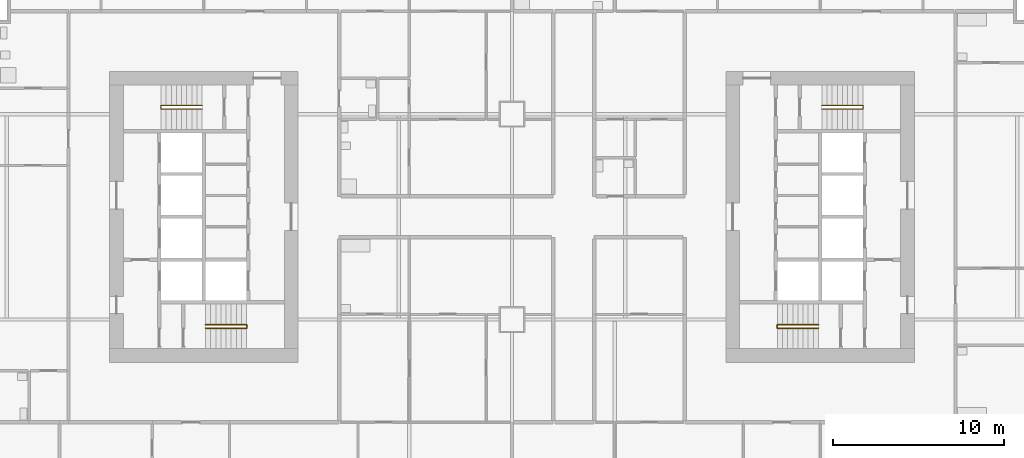
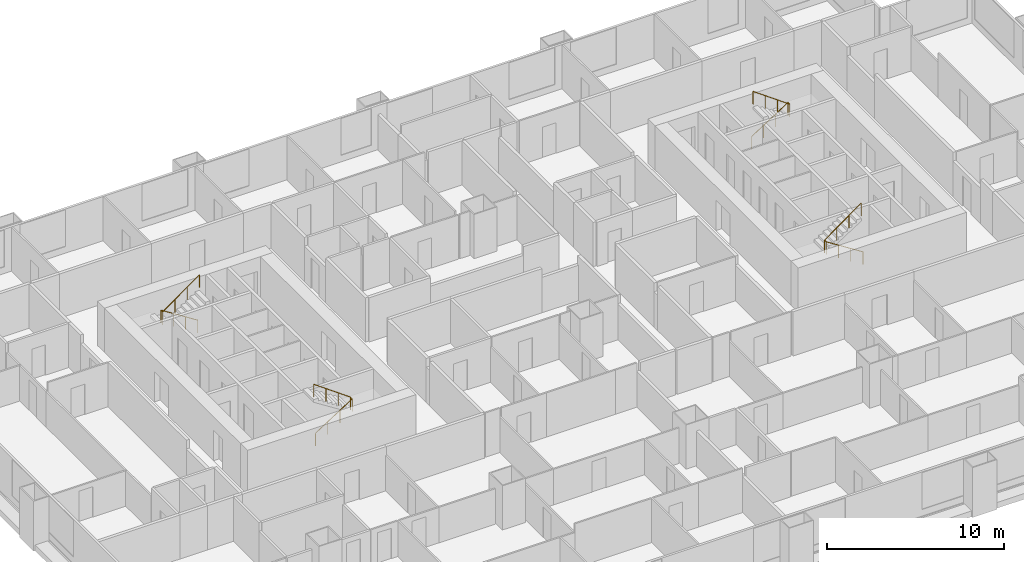
# One storey, part 12 of 13: 4 railings.
"""IFC4 building model written with IfcOpenShell, lengths in metres."""

from ifc_helpers import new_model, si_unit, direction, frame, origin, origin_2d, place, context, subcontext, project, spatial, circle, extrude, material, type_object, element, save


model = new_model("IFC4")

# Units and contexts
model_context = context("Model", 3, precision=1e-05, world=origin(), true_north=direction((0.0, 1.0)))
body_context = subcontext(model_context, "Body", "Model", "MODEL_VIEW")
ifc_project = project(units=[si_unit("LENGTHUNIT", "METRE"), si_unit("AREAUNIT", "SQUARE_METRE"), si_unit("VOLUMEUNIT", "CUBIC_METRE"), si_unit("PLANEANGLEUNIT", "RADIAN"), si_unit("MASSUNIT", "GRAM", prefix="KILO")], contexts=[model_context])

# Site, building, storey
site_placement = place(None, origin())
site = spatial("IfcSite", under=ifc_project, at=site_placement, CompositionType="ELEMENT")
building_placement = place(site_placement, origin())
building = spatial("IfcBuilding", under=site, at=building_placement, Name="Kitamizu Gate Tower and Museum", CompositionType="ELEMENT")
storey_placement = place(building_placement, frame((0.0, 0.0, 81.75)))
storey = spatial("IfcBuildingStorey", under=building, at=storey_placement, Name="L20", CompositionType="ELEMENT", Elevation=81.75)

# Railings
ifc_material = material(Name="Stainless steel SUS304", Category="steel")
railing_type = type_object("IfcRailingType", Name="Stair handrail 900", PredefinedType="HANDRAIL", material=ifc_material)
railing_1_placement = place(storey_placement, frame((18.10009765625, 23.5, 0.191650390625)))
element("IfcRailing", 1, at=railing_1_placement, inside=storey, type_object=railing_type, Name="Stair handrail ST1", PredefinedType="HANDRAIL", context=body_context, shape_type="SweptSolid", body=[
    extrude(circle(Radius=0.02392578125, at=origin_2d()), frame((0.0, 0.0, 0.8759765625), z_axis=(0.842668169335, 0.0, 0.538433242278), x_axis=(0.0, 1.0, 0.0)), (0.0, 0.0, 1.0), 2.847900390625),
    extrude(circle(Radius=0.02392578125, at=origin_2d()), frame((2.39990234375, 0.0, 2.4091796875), z_axis=(0.0, 1.0, 0.0), x_axis=(-1.0, 0.0, 0.0)), (0.0, 0.0, 1.0), 0.199951171875),
    extrude(circle(Radius=0.02392578125, at=origin_2d()), frame((2.39990234375, 0.199951171875, 2.4091796875), z_axis=(-0.81202760531, 0.0, 0.583619026604), x_axis=(0.0, -1.0, 0.0)), (0.0, 0.0, 1.0), 2.955322265625),
    extrude(circle(Radius=0.02099609375, at=origin_2d()), origin(), (0.0, 0.0, 1.0), 0.851806640625),
    extrude(circle(Radius=0.02099609375, at=origin_2d()), frame((0.800048828125, 0.0, 0.51123046875)), (0.0, 0.0, 1.0), 0.851806640625),
    extrude(circle(Radius=0.02099609375, at=origin_2d()), frame((1.599853515625, 0.0, 1.022216796875)), (0.0, 0.0, 1.0), 0.851806640625),
    extrude(circle(Radius=0.02099609375, at=origin_2d()), frame((2.39990234375, 0.0, 1.533447265625)), (0.0, 0.0, 1.0), 0.851806640625),
    extrude(circle(Radius=0.02099609375, at=origin_2d()), frame((2.39990234375, 0.199951171875, 1.533447265625)), (0.0, 0.0, 1.0), 0.851806640625),
    extrude(circle(Radius=0.02099609375, at=origin_2d()), frame((1.599853515625, 0.199951171875, 2.1083984375)), (0.0, 0.0, 1.0), 0.851806640625),
    extrude(circle(Radius=0.02099609375, at=origin_2d()), frame((0.800048828125, 0.199951171875, 2.683349609375)), (0.0, 0.0, 1.0), 0.851806640625),
    extrude(circle(Radius=0.02099609375, at=origin_2d()), frame((0.0, 0.199951171875, 3.25830078125)), (0.0, 0.0, 1.0), 0.851806640625),
])
railing_2_placement = place(storey_placement, frame((17.89990234375, 36.5, 0.191650390625)))
element("IfcRailing", 2, at=railing_2_placement, inside=storey, type_object=railing_type, Name="Stair handrail ST2", PredefinedType="HANDRAIL", context=body_context, shape_type="SweptSolid", body=[
    extrude(circle(Radius=0.02392578125, at=origin_2d()), frame((0.0, 0.0, 0.8759765625), z_axis=(-0.842668169335, 0.0, 0.538433242278), x_axis=(0.0, -1.0, 0.0)), (0.0, 0.0, 1.0), 2.847900390625),
    extrude(circle(Radius=0.02392578125, at=origin_2d()), frame((-2.39990234375, 0.0, 2.4091796875), z_axis=(0.0, -1.0, 0.0), x_axis=(1.0, 0.0, 0.0)), (0.0, 0.0, 1.0), 0.199951171875),
    extrude(circle(Radius=0.02392578125, at=origin_2d()), frame((-2.39990234375, -0.199951171875, 2.4091796875), z_axis=(0.81202760531, 0.0, 0.583619026604), x_axis=(0.0, 1.0, 0.0)), (0.0, 0.0, 1.0), 2.955322265625),
    extrude(circle(Radius=0.02099609375, at=origin_2d()), origin(), (0.0, 0.0, 1.0), 0.851806640625),
    extrude(circle(Radius=0.02099609375, at=origin_2d()), frame((-0.800048828125, 0.0, 0.51123046875)), (0.0, 0.0, 1.0), 0.851806640625),
    extrude(circle(Radius=0.02099609375, at=origin_2d()), frame((-1.599853515625, 0.0, 1.022216796875)), (0.0, 0.0, 1.0), 0.851806640625),
    extrude(circle(Radius=0.02099609375, at=origin_2d()), frame((-2.39990234375, 0.0, 1.533447265625)), (0.0, 0.0, 1.0), 0.851806640625),
    extrude(circle(Radius=0.02099609375, at=origin_2d()), frame((-2.39990234375, -0.199951171875, 1.533447265625)), (0.0, 0.0, 1.0), 0.851806640625),
    extrude(circle(Radius=0.02099609375, at=origin_2d()), frame((-1.599853515625, -0.199951171875, 2.1083984375)), (0.0, 0.0, 1.0), 0.851806640625),
    extrude(circle(Radius=0.02099609375, at=origin_2d()), frame((-0.800048828125, -0.199951171875, 2.683349609375)), (0.0, 0.0, 1.0), 0.851806640625),
    extrude(circle(Radius=0.02099609375, at=origin_2d()), frame((0.0, -0.199951171875, 3.25830078125)), (0.0, 0.0, 1.0), 0.851806640625),
])
railing_3_placement = place(storey_placement, frame((53.89990234375, 23.5, 0.191650390625)))
element("IfcRailing", 3, at=railing_3_placement, inside=storey, type_object=railing_type, Name="Stair handrail ST3", PredefinedType="HANDRAIL", context=body_context, shape_type="SweptSolid", body=[
    extrude(circle(Radius=0.02392578125, at=origin_2d()), frame((0.0, 0.0, 0.8759765625), z_axis=(-0.842668169335, 0.0, 0.538433242278), x_axis=(0.0, -1.0, 0.0)), (0.0, 0.0, 1.0), 2.847900390625),
    extrude(circle(Radius=0.02392578125, at=origin_2d()), frame((-2.39990234375, 0.0, 2.4091796875), z_axis=(0.0, 1.0, 0.0), x_axis=(-1.0, 0.0, 0.0)), (0.0, 0.0, 1.0), 0.199951171875),
    extrude(circle(Radius=0.02392578125, at=origin_2d()), frame((-2.39990234375, 0.199951171875, 2.4091796875), z_axis=(0.81202760531, 0.0, 0.583619026604), x_axis=(0.0, 1.0, 0.0)), (0.0, 0.0, 1.0), 2.955322265625),
    extrude(circle(Radius=0.02099609375, at=origin_2d()), origin(), (0.0, 0.0, 1.0), 0.851806640625),
    extrude(circle(Radius=0.02099609375, at=origin_2d()), frame((-0.800048828125, 0.0, 0.51123046875)), (0.0, 0.0, 1.0), 0.851806640625),
    extrude(circle(Radius=0.02099609375, at=origin_2d()), frame((-1.599853515625, 0.0, 1.022216796875)), (0.0, 0.0, 1.0), 0.851806640625),
    extrude(circle(Radius=0.02099609375, at=origin_2d()), frame((-2.39990234375, 0.0, 1.533447265625)), (0.0, 0.0, 1.0), 0.851806640625),
    extrude(circle(Radius=0.02099609375, at=origin_2d()), frame((-2.39990234375, 0.199951171875, 1.533447265625)), (0.0, 0.0, 1.0), 0.851806640625),
    extrude(circle(Radius=0.02099609375, at=origin_2d()), frame((-1.599853515625, 0.199951171875, 2.1083984375)), (0.0, 0.0, 1.0), 0.851806640625),
    extrude(circle(Radius=0.02099609375, at=origin_2d()), frame((-0.800048828125, 0.199951171875, 2.683349609375)), (0.0, 0.0, 1.0), 0.851806640625),
    extrude(circle(Radius=0.02099609375, at=origin_2d()), frame((0.0, 0.199951171875, 3.25830078125)), (0.0, 0.0, 1.0), 0.851806640625),
])
railing_4_placement = place(storey_placement, frame((54.10009765625, 36.5, 0.191650390625)))
element("IfcRailing", 4, at=railing_4_placement, inside=storey, type_object=railing_type, Name="Stair handrail ST4", PredefinedType="HANDRAIL", context=body_context, shape_type="SweptSolid", body=[
    extrude(circle(Radius=0.02392578125, at=origin_2d()), frame((0.0, 0.0, 0.8759765625), z_axis=(0.842668169335, 0.0, 0.538433242278), x_axis=(0.0, 1.0, 0.0)), (0.0, 0.0, 1.0), 2.847900390625),
    extrude(circle(Radius=0.02392578125, at=origin_2d()), frame((2.39990234375, 0.0, 2.4091796875), z_axis=(0.0, -1.0, 0.0), x_axis=(1.0, 0.0, 0.0)), (0.0, 0.0, 1.0), 0.199951171875),
    extrude(circle(Radius=0.02392578125, at=origin_2d()), frame((2.39990234375, -0.199951171875, 2.4091796875), z_axis=(-0.81202760531, 0.0, 0.583619026604), x_axis=(0.0, -1.0, 0.0)), (0.0, 0.0, 1.0), 2.955322265625),
    extrude(circle(Radius=0.02099609375, at=origin_2d()), origin(), (0.0, 0.0, 1.0), 0.851806640625),
    extrude(circle(Radius=0.02099609375, at=origin_2d()), frame((0.800048828125, 0.0, 0.51123046875)), (0.0, 0.0, 1.0), 0.851806640625),
    extrude(circle(Radius=0.02099609375, at=origin_2d()), frame((1.599853515625, 0.0, 1.022216796875)), (0.0, 0.0, 1.0), 0.851806640625),
    extrude(circle(Radius=0.02099609375, at=origin_2d()), frame((2.39990234375, 0.0, 1.533447265625)), (0.0, 0.0, 1.0), 0.851806640625),
    extrude(circle(Radius=0.02099609375, at=origin_2d()), frame((2.39990234375, -0.199951171875, 1.533447265625)), (0.0, 0.0, 1.0), 0.851806640625),
    extrude(circle(Radius=0.02099609375, at=origin_2d()), frame((1.599853515625, -0.199951171875, 2.1083984375)), (0.0, 0.0, 1.0), 0.851806640625),
    extrude(circle(Radius=0.02099609375, at=origin_2d()), frame((0.800048828125, -0.199951171875, 2.683349609375)), (0.0, 0.0, 1.0), 0.851806640625),
    extrude(circle(Radius=0.02099609375, at=origin_2d()), frame((0.0, -0.199951171875, 3.25830078125)), (0.0, 0.0, 1.0), 0.851806640625),
])

save(model, "model.ifc")
